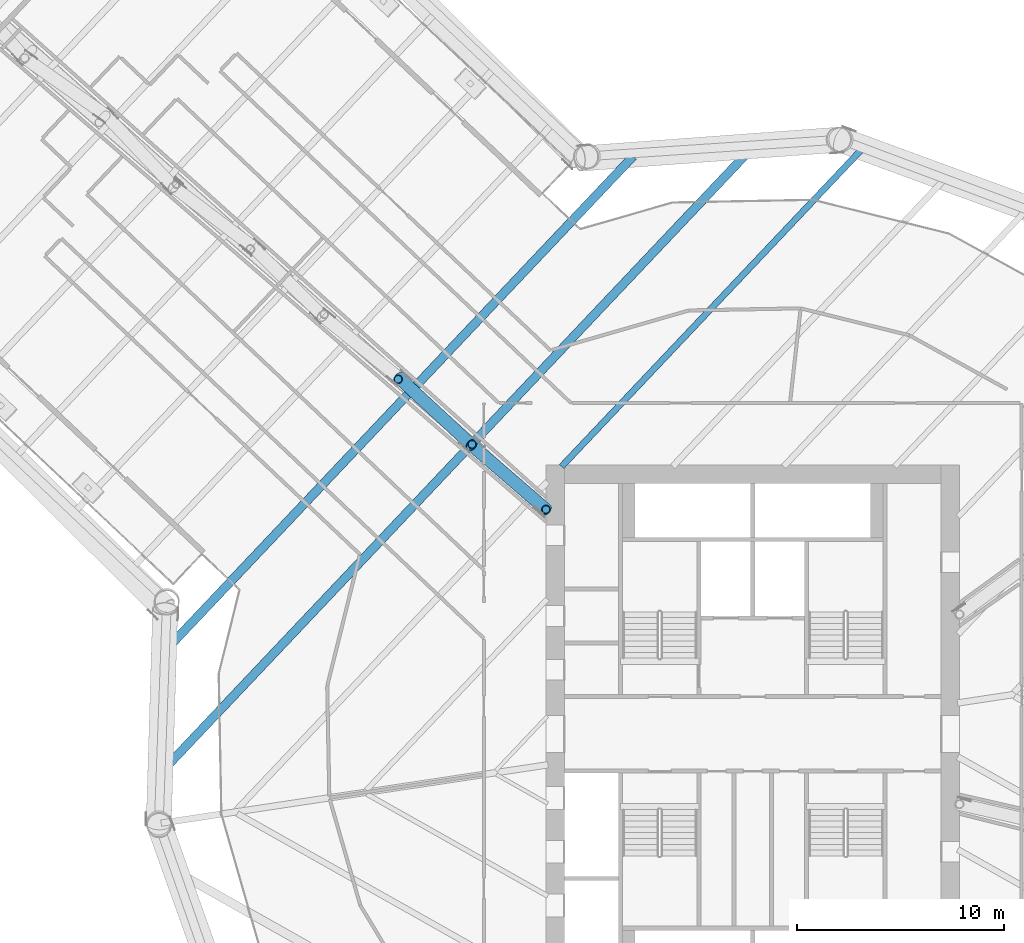
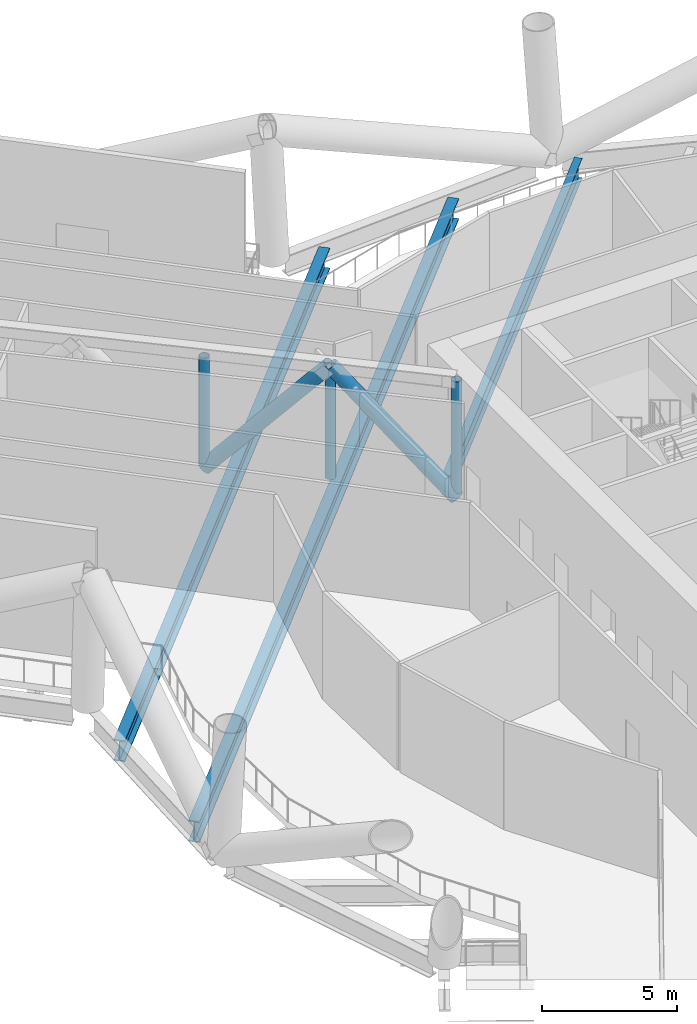
# One storey, part 10 of 39: 5 members, 3 beams.
"""IFC4 building model written with IfcOpenShell, lengths in metres."""

from ifc_helpers import new_model, si_unit, direction, frame, origin, origin_2d, place, context, subcontext, project, spatial, hollow_circle, i_section, extrude, material, material_profile, profile_set, type_object, element, save


model = new_model("IFC4")

# Units and contexts
model_context = context("Model", 3, precision=1e-05, world=origin(), true_north=direction((0.0, 1.0)))
body_context = subcontext(model_context, "Body", "Model", "MODEL_VIEW")
ifc_project = project(units=[si_unit("LENGTHUNIT", "METRE"), si_unit("AREAUNIT", "SQUARE_METRE"), si_unit("VOLUMEUNIT", "CUBIC_METRE"), si_unit("PLANEANGLEUNIT", "RADIAN"), si_unit("MASSUNIT", "GRAM", prefix="KILO")], contexts=[model_context])

# Site, building, storey
site_placement = place(None, origin())
site = spatial("IfcSite", under=ifc_project, at=site_placement, CompositionType="ELEMENT")
building_placement = place(site_placement, origin())
building = spatial("IfcBuilding", under=site, at=building_placement, Name="Tarsis Ring Headquarters", CompositionType="ELEMENT")
storey_placement = place(building_placement, frame((0.0, 0.0, 86.800048828125)))
storey = spatial("IfcBuildingStorey", under=building, at=storey_placement, Name="L19", CompositionType="ELEMENT", Elevation=86.800048828125)

# Beams
ifc_material = material(Name="Structural steel S355", Category="steel")
ifc_material_profile_1 = material_profile(ifc_material, i_section(OverallWidth=0.3046875, OverallDepth=0.904296875, WebThickness=0.01513671875, FlangeThickness=0.02001953125, at=origin_2d()), Name="W36x135")
ifc_profile_set_1 = profile_set([ifc_material_profile_1], Name="Structural steel S355")
beam_type_1 = type_object("IfcBeamType", Name="FB Floor beam W36x135", PredefinedType="JOIST", material=ifc_profile_set_1)
beam_1_placement = place(storey_placement, frame((5.240478515625, 28.23388671875, -0.752197265625), z_axis=(-0.687340299568, -0.726335537194, 0.0), x_axis=(0.726335537194, -0.687340299568, 0.0)))
element("IfcBeam", 1, at=beam_1_placement, inside=storey, type_object=beam_type_1, Name="Floor beam FB8", PredefinedType="JOIST", context=body_context, shape_type="SweptSolid", body=[
    extrude(i_section(OverallWidth=0.3046875, OverallDepth=0.904296875, WebThickness=0.01513671875, FlangeThickness=0.02001953125, at=origin_2d()), origin(), (0.0, 0.0, 1.0), 21.07373046875),
])
ifc_material_profile_2 = material_profile(ifc_material, i_section(OverallWidth=0.42431640625, OverallDepth=0.947509765625, WebThickness=0.02392578125, FlangeThickness=0.042724609375, at=origin_2d()), Name="W36x302")
ifc_profile_set_2 = profile_set([ifc_material_profile_2], Name="Structural steel S355")
beam_type_2 = type_object("IfcBeamType", Name="FB Floor beam W36x302", PredefinedType="JOIST", material=ifc_profile_set_2)
beam_2_placement = place(storey_placement, frame((-0.057861328125, 28.30908203125, -0.773681640625), z_axis=(-0.687340556306, -0.726335294239, 0.0), x_axis=(0.726335294239, -0.687340556306, 0.0)))
element("IfcBeam", 2, at=beam_2_placement, inside=storey, type_object=beam_type_2, Name="Floor beam FB12", PredefinedType="JOIST", context=body_context, shape_type="SweptSolid", body=[
    extrude(i_section(OverallWidth=0.42431640625, OverallDepth=0.947509765625, WebThickness=0.02392578125, FlangeThickness=0.042724609375, at=origin_2d()), origin(), (0.0, 0.0, 1.0), 41.35302734375),
])
beam_3_placement = place(storey_placement, frame((-5.78515625, 27.930908203125, -0.773681640625), z_axis=(-0.687339327817, -0.726336456772, 0.0), x_axis=(0.726336456772, -0.687339327817, 0.0)))
element("IfcBeam", 3, at=beam_3_placement, inside=storey, type_object=beam_type_2, Name="Floor beam FB12", PredefinedType="JOIST", context=body_context, shape_type="SweptSolid", body=[
    extrude(i_section(OverallWidth=0.42431640625, OverallDepth=0.947509765625, WebThickness=0.02392578125, FlangeThickness=0.042724609375, at=origin_2d()), origin(), (0.0, 0.0, 1.0), 32.704833984375),
])

# Members
ifc_material_profile_3 = material_profile(ifc_material, hollow_circle(Radius=0.3046875, WallThickness=0.02490234375, at=origin_2d()), Name="CHS 610x25")
ifc_profile_set_3 = profile_set([ifc_material_profile_3], Name="Structural steel S355")
member_type_1 = type_object("IfcMemberType", Name="OD Outrigger diagonal CHS 610x25", PredefinedType="BRACE", material=ifc_profile_set_3)
member_1_placement = place(storey_placement, frame((-10.0, 10.852294921875, 0.25390625), z_axis=(-0.503612465627, 0.436175038031, 0.745738439846), x_axis=(-0.654682702401, -0.755903802859, 0.0)))
element("IfcMember", 4, at=member_1_placement, inside=storey, type_object=member_type_1, Name="Outrigger diagonal OD1", PredefinedType="BRACE", context=body_context, shape_type="SweptSolid", body=[
    extrude(hollow_circle(Radius=0.3046875, WallThickness=0.02490234375, at=origin_2d()), origin(), (0.0, 0.0, 1.0), 7.14990234375),
])
member_2_placement = place(storey_placement, frame((-13.600830078125, 13.970947265625, 5.5859375), z_axis=(-0.488523198183, 0.45266013742, -0.745951663869), x_axis=(-0.679669787766, -0.733518220359, 0.0)))
element("IfcMember", 5, at=member_2_placement, inside=storey, type_object=member_type_1, Name="Outrigger diagonal OD1", PredefinedType="BRACE", context=body_context, shape_type="SweptSolid", body=[
    extrude(hollow_circle(Radius=0.3046875, WallThickness=0.02490234375, at=origin_2d()), origin(), (0.0, 0.0, 1.0), 7.14794921875),
])
ifc_material_profile_4 = material_profile(ifc_material, hollow_circle(Radius=0.203125, WallThickness=0.01611328125, at=origin_2d()), Name="CHS 406x16")
ifc_profile_set_4 = profile_set([ifc_material_profile_4], Name="Structural steel S355")
member_type_2 = type_object("IfcMemberType", Name="OV Outrigger post CHS 406x16", PredefinedType="STRUT", material=ifc_profile_set_4)
member_3_placement = place(storey_placement, frame((-10.0, 10.852294921875, 0.508056640625), z_axis=(0.0, 0.0, 1.0), x_axis=(1.0, 0.0, 0.0)))
element("IfcMember", 6, at=member_3_placement, inside=storey, type_object=member_type_2, Name="Outrigger post OV1", PredefinedType="STRUT", context=body_context, shape_type="SweptSolid", body=[
    extrude(hollow_circle(Radius=0.203125, WallThickness=0.01611328125, at=origin_2d()), origin(), (0.0, 0.0, 1.0), 5.077880859375),
])
for number, where, z_axis, x_axis, name in (
    (7, (-13.57373046875, 14.000244140625, 0.508056640625), (0.0, 0.0, 1.0), (1.0, 0.0, 0.0), "Outrigger post OV1"),
    (8, (-17.147216796875, 17.148193359375, 0.508056640625), (0.0, 0.0, 1.0), (1.0, 0.0, 0.0), "Outrigger post OV1"),
):
    element("IfcMember", number, at=place(storey_placement, frame(where, z_axis=z_axis, x_axis=x_axis)), inside=storey, type_object=member_type_2, Name=name, PredefinedType="STRUT", context=body_context, shape_type="SweptSolid", body=[
        extrude(hollow_circle(Radius=0.203125, WallThickness=0.01611328125, at=origin_2d()), origin(), (0.0, 0.0, 1.0), 4.823974609375),
    ])

save(model, "model.ifc")
